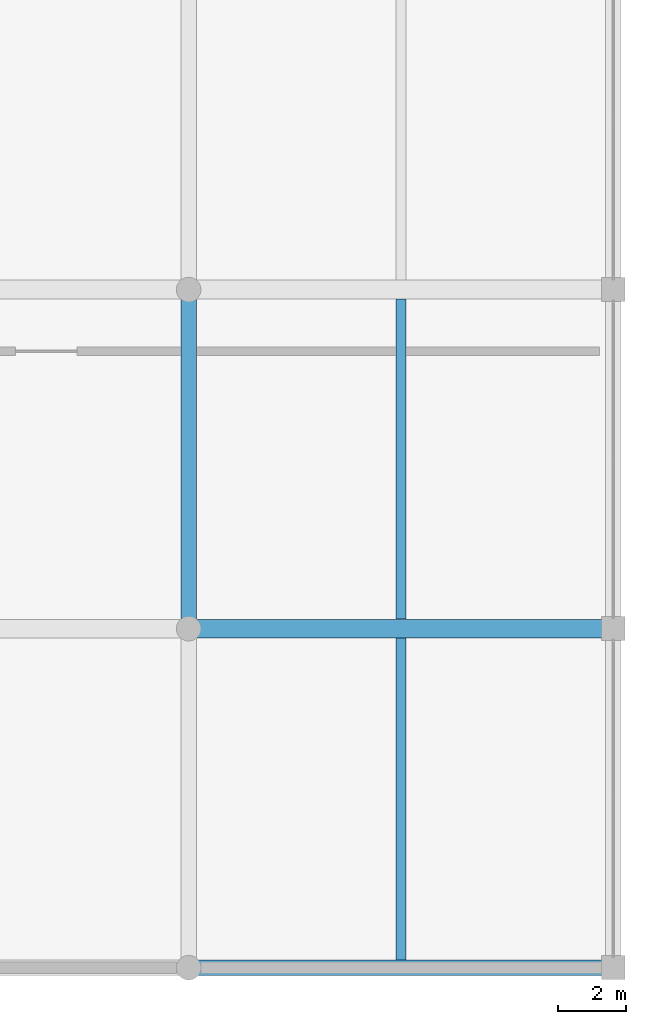
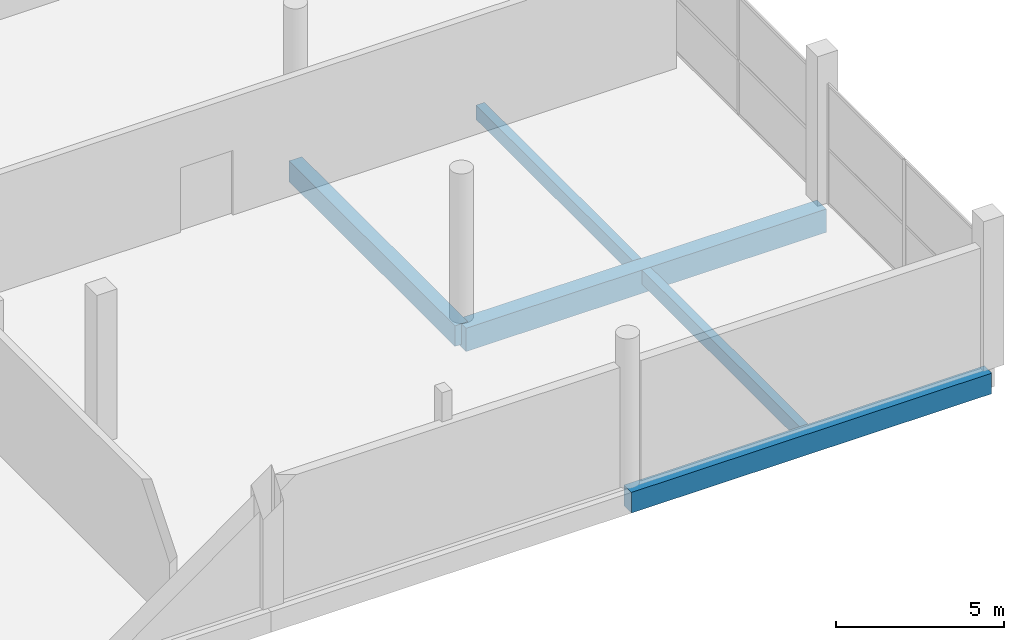
# One storey, part 32 of 72: 5 beams.
"""IFC4 building model written with IfcOpenShell, lengths in metres."""

from ifc_helpers import new_model, si_unit, direction, frame, origin, origin_2d, place, context, subcontext, project, spatial, rectangle, extrude, material, material_profile, profile_set, type_object, element, save


model = new_model("IFC4")

# Units and contexts
model_context = context("Model", 3, precision=1e-05, world=origin(), true_north=direction((0.0, 1.0)))
body_context = subcontext(model_context, "Body", "Model", "MODEL_VIEW")
ifc_project = project(units=[si_unit("LENGTHUNIT", "METRE"), si_unit("AREAUNIT", "SQUARE_METRE"), si_unit("VOLUMEUNIT", "CUBIC_METRE"), si_unit("PLANEANGLEUNIT", "RADIAN"), si_unit("MASSUNIT", "GRAM", prefix="KILO")], contexts=[model_context])

# Site, building, storey
site_placement = place(None, origin())
site = spatial("IfcSite", under=ifc_project, at=site_placement, CompositionType="ELEMENT")
building_placement = place(site_placement, origin())
building = spatial("IfcBuilding", under=site, at=building_placement, Name="Sillaruma Civic Art Gallery", CompositionType="ELEMENT")
storey_placement = place(building_placement, frame((0.0, 0.0, 10.8798828125)))
storey = spatial("IfcBuildingStorey", under=building, at=storey_placement, Name="L02", CompositionType="ELEMENT", Elevation=10.8798828125)

# Beams
ifc_material_1 = material(Name="Concrete H40 (40 MPa)", Category="concrete")
ifc_material_profile_1 = material_profile(ifc_material_1, rectangle(XDim=0.449951171875, YDim=0.75, at=origin_2d()), Name="RCB450x750")
ifc_profile_set_1 = profile_set([ifc_material_profile_1], Name="Concrete H40 (40 MPa)")
beam_type_1 = type_object("IfcBeamType", Name="BM-BEAM-RCB450x750", PredefinedType="BEAM", material=ifc_profile_set_1)
beam_1_placement = place(storey_placement, frame((164.0, 9.89990234375, -0.634765625), z_axis=(0.0, 1.0, 0.0), x_axis=(-1.0, 0.0, 0.0)))
element("IfcBeam", 1, at=beam_1_placement, inside=storey, type_object=beam_type_1, Name="Beam BM-03 (L01:S:2-3)", PredefinedType="BEAM", context=body_context, shape_type="SweptSolid", body=[
    extrude(rectangle(XDim=0.449951171875, YDim=0.75, at=origin_2d()), origin(), (0.0, 0.0, 1.0), 9.900146484375),
])
ifc_material_profile_2 = material_profile(ifc_material_1, rectangle(XDim=0.550048828125, YDim=0.85009765625, at=origin_2d()), Name="RCB550x850")
ifc_profile_set_2 = profile_set([ifc_material_profile_2], Name="Concrete H40 (40 MPa)")
beam_type_2 = type_object("IfcBeamType", Name="BM-BEAM-RCB550x850", PredefinedType="BEAM", material=ifc_profile_set_2)
beam_2_placement = place(storey_placement, frame((164.0, 9.89990234375, -0.684814453125), z_axis=(1.0, 0.0, 0.0), x_axis=(0.0, 1.0, 0.0)))
element("IfcBeam", 2, at=beam_2_placement, inside=storey, type_object=beam_type_2, Name="Beam BM-01 (L01:2:S-T)", PredefinedType="BEAM", context=body_context, shape_type="SweptSolid", body=[
    extrude(rectangle(XDim=0.550048828125, YDim=0.85009765625, at=origin_2d()), origin(), (0.0, 0.0, 1.0), 12.39990234375),
])
ifc_material_2 = material(Name="Concrete H35 (35 MPa)", Category="concrete")
ifc_material_profile_3 = material_profile(ifc_material_2, rectangle(XDim=0.300048828125, YDim=0.52001953125, at=origin_2d()), Name="RCB300x520")
ifc_profile_set_3 = profile_set([ifc_material_profile_3], Name="Concrete H35 (35 MPa)")
beam_type_3 = type_object("IfcBeamType", Name="BM-JOIST-RCB300x520", PredefinedType="JOIST", material=ifc_profile_set_3)
beam_3_placement = place(storey_placement, frame((170.199951171875, 0.22509765625, -0.519775390625), z_axis=(0.0, 1.0, 0.0), x_axis=(-1.0, 0.0, 0.0)))
element("IfcBeam", 3, at=beam_3_placement, inside=storey, type_object=beam_type_3, Name="Floor Joist JR-01 (L01:ST:1-2)", PredefinedType="JOIST", context=body_context, shape_type="SweptSolid", body=[
    extrude(rectangle(XDim=0.300048828125, YDim=0.52001953125, at=origin_2d()), origin(), (0.0, 0.0, 1.0), 9.39990234375),
])
beam_4_placement = place(storey_placement, frame((170.199951171875, 10.175048828125, -0.519775390625), z_axis=(0.0, 1.0, 0.0), x_axis=(-1.0, 0.0, 0.0)))
element("IfcBeam", 4, at=beam_4_placement, inside=storey, type_object=beam_type_3, Name="Floor Joist JR-01 (L01:ST:2-3)", PredefinedType="JOIST", context=body_context, shape_type="SweptSolid", body=[
    extrude(rectangle(XDim=0.300048828125, YDim=0.52001953125, at=origin_2d()), origin(), (0.0, 0.0, 1.0), 9.349853515625),
])
ifc_material_profile_4 = material_profile(ifc_material_1, rectangle(XDim=0.449951171875, YDim=0.75, at=origin_2d()), Name="RCB450x750")
ifc_profile_set_4 = profile_set([ifc_material_profile_4], Name="Concrete H40 (40 MPa)")
beam_type_4 = type_object("IfcBeamType", Name="BM-SPANDREL-RCB450x750", PredefinedType="SPANDREL", material=ifc_profile_set_4)
beam_5_placement = place(storey_placement, frame((164.0, 0.0, -0.634765625), z_axis=(1.0, 0.0, 0.0), x_axis=(0.0, 1.0, 0.0)))
element("IfcBeam", 5, at=beam_5_placement, inside=storey, type_object=beam_type_4, Name="Beam BS-01 (L01:1:S-T)", PredefinedType="SPANDREL", context=body_context, shape_type="SweptSolid", body=[
    extrude(rectangle(XDim=0.449951171875, YDim=0.75, at=origin_2d()), origin(), (0.0, 0.0, 1.0), 12.39990234375),
])

save(model, "model.ifc")
